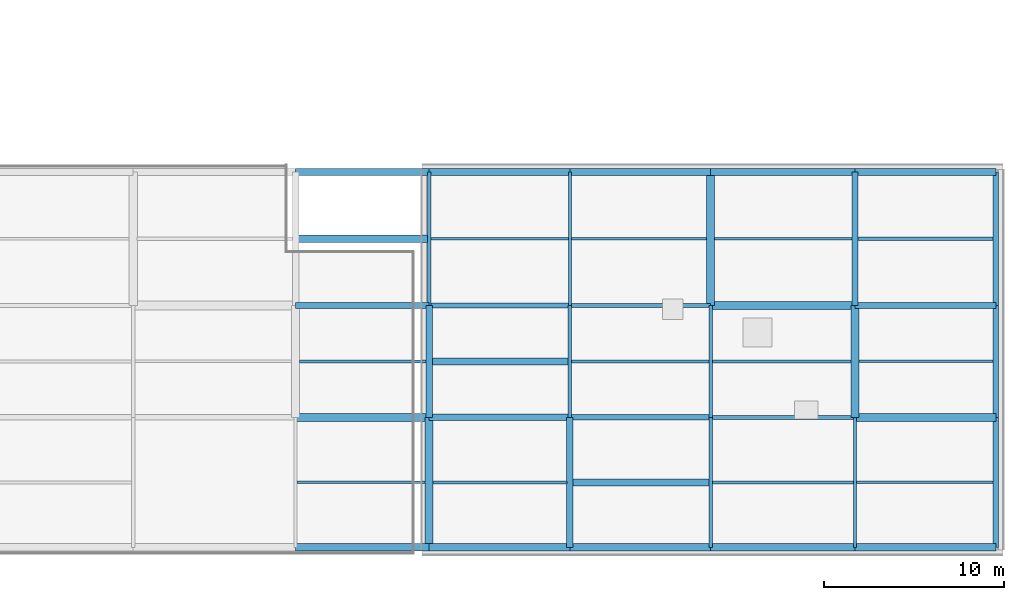
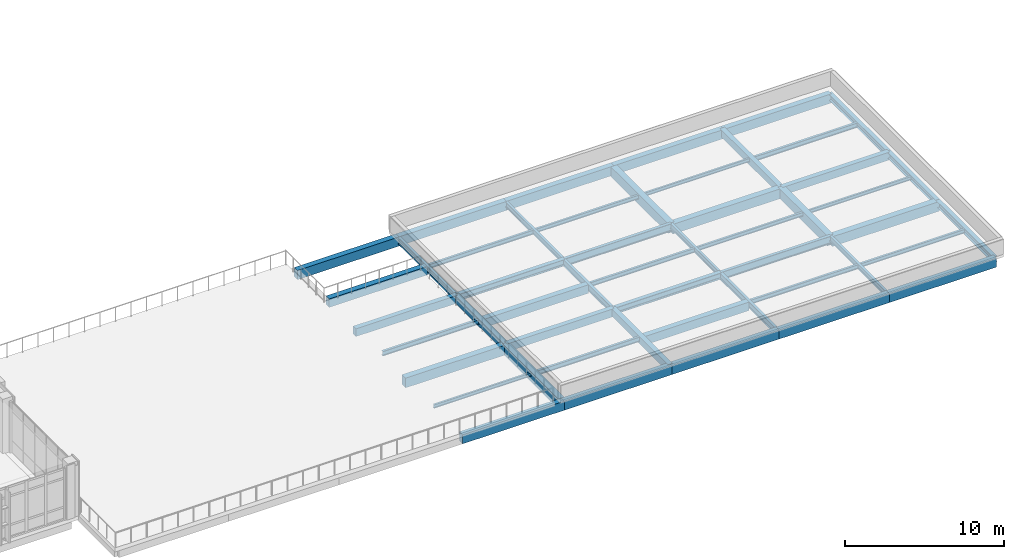
# One storey, part 111 of 165: 50 beams.
"""IFC4 building model written with IfcOpenShell, lengths in metres."""

from ifc_helpers import new_model, si_unit, direction, frame, origin, origin_2d, place, context, subcontext, project, spatial, rectangle, i_section, extrude, material, material_profile, profile_set, type_object, element, save


model = new_model("IFC4")

# Units and contexts
model_context = context("Model", 3, precision=1e-05, world=origin(), true_north=direction((0.0, 1.0)))
body_context = subcontext(model_context, "Body", "Model", "MODEL_VIEW")
ifc_project = project(units=[si_unit("LENGTHUNIT", "METRE"), si_unit("AREAUNIT", "SQUARE_METRE"), si_unit("VOLUMEUNIT", "CUBIC_METRE"), si_unit("PLANEANGLEUNIT", "RADIAN"), si_unit("MASSUNIT", "GRAM", prefix="KILO")], contexts=[model_context])

# Site, building, storey
site_placement = place(None, origin())
site = spatial("IfcSite", under=ifc_project, at=site_placement, CompositionType="ELEMENT")
building_placement = place(site_placement, origin())
building = spatial("IfcBuilding", under=site, at=building_placement, Name="Qalavern Law Courts", CompositionType="ELEMENT")
storey_placement = place(building_placement, frame((0.0, 0.0, 14.39990234375)))
storey = spatial("IfcBuildingStorey", under=building, at=storey_placement, Name="L03", CompositionType="ELEMENT", Elevation=14.39990234375)

# Beams
ifc_material_1 = material(Name="Steel S355", Category="steel")
ifc_material_profile_1 = material_profile(ifc_material_1, i_section(OverallWidth=0.300048828125, OverallDepth=0.489990234375, WebThickness=0.011962890625, FlangeThickness=0.02294921875, FilletRadius=0.027099609375, at=origin_2d()), Name="HEA 500")
ifc_profile_set_1 = profile_set([ifc_material_profile_1], Name="Steel S355")
beam_type_1 = type_object("IfcBeamType", Name="STR-BM-HEA500", PredefinedType="BEAM", material=ifc_profile_set_1)
for number, where, z_axis, x_axis, name in (
    (1, (142.0, 8.60009765625, -0.556884765625), (1.0, 0.0, 0.0), (0.0, 1.0, 0.0), "V6 X-beam 2-6 L03"),
    (2, (134.199951171875, 14.800048828125, -0.556884765625), (1.0, 0.0, 0.0), (0.0, 1.0, 0.0), "V6 X-beam 3-5 L03"),
):
    element("IfcBeam", number, at=place(storey_placement, frame(where, z_axis=z_axis, x_axis=x_axis)), inside=storey, type_object=beam_type_1, Name=name, PredefinedType="BEAM", context=body_context, shape_type="SweptSolid", body=[
        extrude(i_section(OverallWidth=0.300048828125, OverallDepth=0.489990234375, WebThickness=0.011962890625, FlangeThickness=0.02294921875, FilletRadius=0.027099609375, at=origin_2d()), origin(), (0.0, 0.0, 1.0), 7.800048828125),
    ])
ifc_material_profile_2 = material_profile(ifc_material_1, i_section(OverallWidth=0.179931640625, OverallDepth=0.39990234375, WebThickness=0.008544921875, FlangeThickness=0.013427734375, FilletRadius=0.02099609375, at=origin_2d()), Name="IPE 400")
ifc_profile_set_2 = profile_set([ifc_material_profile_2], Name="Steel S355")
beam_type_2 = type_object("IfcBeamType", Name="STR-BM-IPE400", PredefinedType="BEAM", material=ifc_profile_set_2)
beam_1_placement = place(storey_placement, frame((142.0, 14.800048828125, -0.511962890625), z_axis=(0.0, 1.0, 0.0), x_axis=(-1.0, 0.0, 0.0)))
element("IfcBeam", 3, at=beam_1_placement, inside=storey, type_object=beam_type_2, Name="V6 Y-beam 6-3 L03", PredefinedType="BEAM", context=body_context, shape_type="SweptSolid", body=[
    extrude(i_section(OverallWidth=0.179931640625, OverallDepth=0.39990234375, WebThickness=0.008544921875, FlangeThickness=0.013427734375, FilletRadius=0.02099609375, at=origin_2d()), origin(), (0.0, 0.0, 1.0), 7.39990234375),
])
beam_2_placement = place(storey_placement, frame((149.800048828125, 8.60009765625, -0.511962890625), z_axis=(0.0, 1.0, 0.0), x_axis=(-1.0, 0.0, 0.0)))
element("IfcBeam", 4, at=beam_2_placement, inside=storey, type_object=beam_type_2, Name="V6 Y-beam 7-2 L03", PredefinedType="BEAM", context=body_context, shape_type="SweptSolid", body=[
    extrude(i_section(OverallWidth=0.179931640625, OverallDepth=0.39990234375, WebThickness=0.008544921875, FlangeThickness=0.013427734375, FilletRadius=0.02099609375, at=origin_2d()), origin(), (0.0, 0.0, 1.0), 6.199951171875),
])
beam_3_placement = place(storey_placement, frame((157.800048828125, 1.39990234375, -0.511962890625), z_axis=(0.0, 1.0, 0.0), x_axis=(-1.0, 0.0, 0.0)))
element("IfcBeam", 5, at=beam_3_placement, inside=storey, type_object=beam_type_2, Name="V6 Y-beam 8-1 L03", PredefinedType="BEAM", context=body_context, shape_type="SweptSolid", body=[
    extrude(i_section(OverallWidth=0.179931640625, OverallDepth=0.39990234375, WebThickness=0.008544921875, FlangeThickness=0.013427734375, FilletRadius=0.02099609375, at=origin_2d()), origin(), (0.0, 0.0, 1.0), 7.2001953125),
])
ifc_material_profile_3 = material_profile(ifc_material_1, i_section(OverallWidth=0.199951171875, OverallDepth=0.5, WebThickness=0.01025390625, FlangeThickness=0.01611328125, FilletRadius=0.02099609375, at=origin_2d()), Name="IPE 500")
ifc_profile_set_3 = profile_set([ifc_material_profile_3], Name="Steel S355")
beam_type_3 = type_object("IfcBeamType", Name="STR-BM-IPE500", PredefinedType="BEAM", material=ifc_profile_set_3)
beam_4_placement = place(storey_placement, frame((134.199951171875, 14.800048828125, -0.56201171875), z_axis=(0.0, 1.0, 0.0), x_axis=(-1.0, 0.0, 0.0)))
element("IfcBeam", 6, at=beam_4_placement, inside=storey, type_object=beam_type_3, Name="V6 Y-beam 5-3 L03", PredefinedType="BEAM", context=body_context, shape_type="SweptSolid", body=[
    extrude(i_section(OverallWidth=0.199951171875, OverallDepth=0.5, WebThickness=0.01025390625, FlangeThickness=0.01611328125, FilletRadius=0.02099609375, at=origin_2d()), origin(), (0.0, 0.0, 1.0), 7.39990234375),
])
beam_5_placement = place(storey_placement, frame((142.0, 8.60009765625, -0.56201171875), z_axis=(0.0, 1.0, 0.0), x_axis=(-1.0, 0.0, 0.0)))
element("IfcBeam", 7, at=beam_5_placement, inside=storey, type_object=beam_type_3, Name="V6 Y-beam 6-2 L03", PredefinedType="BEAM", context=body_context, shape_type="SweptSolid", body=[
    extrude(i_section(OverallWidth=0.199951171875, OverallDepth=0.5, WebThickness=0.01025390625, FlangeThickness=0.01611328125, FilletRadius=0.02099609375, at=origin_2d()), origin(), (0.0, 0.0, 1.0), 6.199951171875),
])
beam_6_placement = place(storey_placement, frame((149.800048828125, 1.39990234375, -0.56201171875), z_axis=(0.0, 1.0, 0.0), x_axis=(-1.0, 0.0, 0.0)))
element("IfcBeam", 8, at=beam_6_placement, inside=storey, type_object=beam_type_3, Name="V6 Y-beam 7-1 L03", PredefinedType="BEAM", context=body_context, shape_type="SweptSolid", body=[
    extrude(i_section(OverallWidth=0.199951171875, OverallDepth=0.5, WebThickness=0.01025390625, FlangeThickness=0.01611328125, FilletRadius=0.02099609375, at=origin_2d()), origin(), (0.0, 0.0, 1.0), 7.2001953125),
])
ifc_material_profile_4 = material_profile(ifc_material_1, i_section(OverallWidth=0.219970703125, OverallDepth=0.60009765625, WebThickness=0.011962890625, FlangeThickness=0.01904296875, FilletRadius=0.02392578125, at=origin_2d()), Name="IPE 600")
ifc_profile_set_4 = profile_set([ifc_material_profile_4], Name="Steel S355")
beam_type_4 = type_object("IfcBeamType", Name="STR-BM-IPE600", PredefinedType="BEAM", material=ifc_profile_set_4)
beam_7_placement = place(storey_placement, frame((149.800048828125, 8.60009765625, -0.61181640625), z_axis=(1.0, 0.0, 0.0), x_axis=(0.0, 1.0, 0.0)))
element("IfcBeam", 9, at=beam_7_placement, inside=storey, type_object=beam_type_4, Name="V6 X-beam 2-7 L03", PredefinedType="BEAM", context=body_context, shape_type="SweptSolid", body=[
    extrude(i_section(OverallWidth=0.219970703125, OverallDepth=0.60009765625, WebThickness=0.011962890625, FlangeThickness=0.01904296875, FilletRadius=0.02392578125, at=origin_2d()), origin(), (0.0, 0.0, 1.0), 8.0),
])
beam_8_placement = place(storey_placement, frame((142.0, 14.800048828125, -0.61181640625), z_axis=(1.0, 0.0, 0.0), x_axis=(0.0, 1.0, 0.0)))
element("IfcBeam", 10, at=beam_8_placement, inside=storey, type_object=beam_type_4, Name="V6 X-beam 3-6 L03", PredefinedType="BEAM", context=body_context, shape_type="SweptSolid", body=[
    extrude(i_section(OverallWidth=0.219970703125, OverallDepth=0.60009765625, WebThickness=0.011962890625, FlangeThickness=0.01904296875, FilletRadius=0.02392578125, at=origin_2d()), origin(), (0.0, 0.0, 1.0), 7.800048828125),
])
ifc_material_2 = material(Name="Concrete C35/45", Category="concrete")
ifc_material_profile_5 = material_profile(ifc_material_2, rectangle(XDim=0.35009765625, YDim=0.550048828125, at=origin_2d()), Name="RC 350x550")
ifc_profile_set_5 = profile_set([ifc_material_profile_5], Name="Concrete C35/45")
beam_type_5 = type_object("IfcBeamType", Name="STR-BM-RC350x550", PredefinedType="BEAM", material=ifc_profile_set_5)
beam_9_placement = place(storey_placement, frame((134.199951171875, 8.60009765625, -0.5869140625), z_axis=(0.0, 1.0, 0.0), x_axis=(-1.0, 0.0, 0.0)))
element("IfcBeam", 11, at=beam_9_placement, inside=storey, type_object=beam_type_5, Name="V6 Y-beam 5-2 L03", PredefinedType="BEAM", context=body_context, shape_type="SweptSolid", body=[
    extrude(rectangle(XDim=0.35009765625, YDim=0.550048828125, at=origin_2d()), origin(), (0.0, 0.0, 1.0), 6.199951171875),
])
beam_10_placement = place(storey_placement, frame((142.0, 1.39990234375, -0.5869140625), z_axis=(0.0, 1.0, 0.0), x_axis=(-1.0, 0.0, 0.0)))
element("IfcBeam", 12, at=beam_10_placement, inside=storey, type_object=beam_type_5, Name="V6 Y-beam 6-1 L03", PredefinedType="BEAM", context=body_context, shape_type="SweptSolid", body=[
    extrude(rectangle(XDim=0.35009765625, YDim=0.550048828125, at=origin_2d()), origin(), (0.0, 0.0, 1.0), 7.2001953125),
])
beam_11_placement = place(storey_placement, frame((157.800048828125, 14.800048828125, -0.5869140625), z_axis=(0.0, 1.0, 0.0), x_axis=(-1.0, 0.0, 0.0)))
element("IfcBeam", 13, at=beam_11_placement, inside=storey, type_object=beam_type_5, Name="V6 Y-beam 8-3 L03", PredefinedType="BEAM", context=body_context, shape_type="SweptSolid", body=[
    extrude(rectangle(XDim=0.35009765625, YDim=0.550048828125, at=origin_2d()), origin(), (0.0, 0.0, 1.0), 7.39990234375),
])
ifc_material_profile_6 = material_profile(ifc_material_2, rectangle(XDim=0.35009765625, YDim=0.60009765625, at=origin_2d()), Name="RC 350x600")
ifc_profile_set_6 = profile_set([ifc_material_profile_6], Name="Concrete C35/45")
beam_type_6 = type_object("IfcBeamType", Name="STR-BM-RC350x600", PredefinedType="BEAM", material=ifc_profile_set_6)
beam_12_placement = place(storey_placement, frame((134.199951171875, 8.60009765625, -0.61181640625), z_axis=(1.0, 0.0, 0.0), x_axis=(0.0, 1.0, 0.0)))
element("IfcBeam", 14, at=beam_12_placement, inside=storey, type_object=beam_type_6, Name="V6 X-beam 2-5 L03", PredefinedType="BEAM", context=body_context, shape_type="SweptSolid", body=[
    extrude(rectangle(XDim=0.35009765625, YDim=0.60009765625, at=origin_2d()), origin(), (0.0, 0.0, 1.0), 7.800048828125),
])
beam_13_placement = place(storey_placement, frame((126.800048828125, 14.800048828125, -0.61181640625), z_axis=(1.0, 0.0, 0.0), x_axis=(0.0, 1.0, 0.0)))
element("IfcBeam", 15, at=beam_13_placement, inside=storey, type_object=beam_type_6, Name="V6 X-beam 3-4 L03", PredefinedType="BEAM", context=body_context, shape_type="SweptSolid", body=[
    extrude(rectangle(XDim=0.35009765625, YDim=0.60009765625, at=origin_2d()), origin(), (0.0, 0.0, 1.0), 7.39990234375),
])
beam_14_placement = place(storey_placement, frame((157.800048828125, 14.800048828125, -0.61181640625), z_axis=(1.0, 0.0, 0.0), x_axis=(0.0, 1.0, 0.0)))
element("IfcBeam", 16, at=beam_14_placement, inside=storey, type_object=beam_type_6, Name="V6 X-beam 3-8 L03", PredefinedType="BEAM", context=body_context, shape_type="SweptSolid", body=[
    extrude(rectangle(XDim=0.35009765625, YDim=0.60009765625, at=origin_2d()), origin(), (0.0, 0.0, 1.0), 7.800048828125),
])
ifc_material_3 = material(Name="Concrete C40/50", Category="concrete")
ifc_material_profile_7 = material_profile(ifc_material_3, rectangle(XDim=0.449951171875, YDim=0.75, at=origin_2d()), Name="RC 450x750")
ifc_profile_set_7 = profile_set([ifc_material_profile_7], Name="Concrete C40/50")
beam_type_7 = type_object("IfcBeamType", Name="STR-BM-RC450x750", PredefinedType="BEAM", material=ifc_profile_set_7)
beam_15_placement = place(storey_placement, frame((126.800048828125, 8.60009765625, -0.68701171875), z_axis=(1.0, 0.0, 0.0), x_axis=(0.0, 1.0, 0.0)))
element("IfcBeam", 17, at=beam_15_placement, inside=storey, type_object=beam_type_7, Name="V6 X-beam 2-4 L03", PredefinedType="BEAM", context=body_context, shape_type="SweptSolid", body=[
    extrude(rectangle(XDim=0.449951171875, YDim=0.75, at=origin_2d()), origin(), (0.0, 0.0, 1.0), 7.39990234375),
])
beam_16_placement = place(storey_placement, frame((157.800048828125, 8.60009765625, -0.68701171875), z_axis=(1.0, 0.0, 0.0), x_axis=(0.0, 1.0, 0.0)))
element("IfcBeam", 18, at=beam_16_placement, inside=storey, type_object=beam_type_7, Name="V6 X-beam 2-8 L03", PredefinedType="BEAM", context=body_context, shape_type="SweptSolid", body=[
    extrude(rectangle(XDim=0.449951171875, YDim=0.75, at=origin_2d()), origin(), (0.0, 0.0, 1.0), 7.800048828125),
])
beam_17_placement = place(storey_placement, frame((149.800048828125, 14.800048828125, -0.68701171875), z_axis=(1.0, 0.0, 0.0), x_axis=(0.0, 1.0, 0.0)))
element("IfcBeam", 19, at=beam_17_placement, inside=storey, type_object=beam_type_7, Name="V6 X-beam 3-7 L03", PredefinedType="BEAM", context=body_context, shape_type="SweptSolid", body=[
    extrude(rectangle(XDim=0.449951171875, YDim=0.75, at=origin_2d()), origin(), (0.0, 0.0, 1.0), 8.0),
])
beam_18_placement = place(storey_placement, frame((134.199951171875, 1.39990234375, -0.68701171875), z_axis=(0.0, 1.0, 0.0), x_axis=(-1.0, 0.0, 0.0)))
element("IfcBeam", 20, at=beam_18_placement, inside=storey, type_object=beam_type_7, Name="V6 Y-beam 5-1 L03", PredefinedType="BEAM", context=body_context, shape_type="SweptSolid", body=[
    extrude(rectangle(XDim=0.449951171875, YDim=0.75, at=origin_2d()), origin(), (0.0, 0.0, 1.0), 7.2001953125),
])
beam_19_placement = place(storey_placement, frame((149.800048828125, 14.800048828125, -0.68701171875), z_axis=(0.0, 1.0, 0.0), x_axis=(-1.0, 0.0, 0.0)))
element("IfcBeam", 21, at=beam_19_placement, inside=storey, type_object=beam_type_7, Name="V6 Y-beam 7-3 L03", PredefinedType="BEAM", context=body_context, shape_type="SweptSolid", body=[
    extrude(rectangle(XDim=0.449951171875, YDim=0.75, at=origin_2d()), origin(), (0.0, 0.0, 1.0), 7.39990234375),
])
beam_20_placement = place(storey_placement, frame((157.800048828125, 8.60009765625, -0.68701171875), z_axis=(0.0, 1.0, 0.0), x_axis=(-1.0, 0.0, 0.0)))
element("IfcBeam", 22, at=beam_20_placement, inside=storey, type_object=beam_type_7, Name="V6 Y-beam 8-2 L03", PredefinedType="BEAM", context=body_context, shape_type="SweptSolid", body=[
    extrude(rectangle(XDim=0.449951171875, YDim=0.75, at=origin_2d()), origin(), (0.0, 0.0, 1.0), 6.199951171875),
])
ifc_material_profile_8 = material_profile(ifc_material_1, i_section(OverallWidth=0.135009765625, OverallDepth=0.27001953125, WebThickness=0.006591796875, FlangeThickness=0.01025390625, FilletRadius=0.014892578125, at=origin_2d()), Name="IPE 270")
ifc_profile_set_8 = profile_set([ifc_material_profile_8], Name="Steel S355")
beam_type_8 = type_object("IfcBeamType", Name="STR-JST-IPE270", PredefinedType="JOIST", material=ifc_profile_set_8)
beam_21_placement = place(storey_placement, frame((126.887939453125, 5.0, -0.447021484375), z_axis=(1.0, 0.0, 0.0), x_axis=(0.0, 1.0, 0.0)))
element("IfcBeam", 23, at=beam_21_placement, inside=storey, type_object=beam_type_8, Name="V6 secondary joist 4.1.1 L03", PredefinedType="JOIST", context=body_context, shape_type="SweptSolid", body=[
    extrude(i_section(OverallWidth=0.135009765625, OverallDepth=0.27001953125, WebThickness=0.006591796875, FlangeThickness=0.01025390625, FilletRadius=0.014892578125, at=origin_2d()), origin(), (0.0, 0.0, 1.0), 7.089111328125),
])
beam_22_placement = place(storey_placement, frame((150.02294921875, 18.5, -0.447021484375), z_axis=(1.0, 0.0, 0.0), x_axis=(0.0, 1.0, 0.0)))
element("IfcBeam", 24, at=beam_22_placement, inside=storey, type_object=beam_type_8, Name="V6 secondary joist 7.3.1 L03", PredefinedType="JOIST", context=body_context, shape_type="SweptSolid", body=[
    extrude(i_section(OverallWidth=0.135009765625, OverallDepth=0.27001953125, WebThickness=0.006591796875, FlangeThickness=0.01025390625, FilletRadius=0.014892578125, at=origin_2d()), origin(), (0.0, 0.0, 1.0), 7.60400390625),
])
beam_23_placement = place(storey_placement, frame((158.02294921875, 11.699951171875, -0.447021484375), z_axis=(1.0, 0.0, 0.0), x_axis=(0.0, 1.0, 0.0)))
element("IfcBeam", 25, at=beam_23_placement, inside=storey, type_object=beam_type_8, Name="V6 secondary joist 8.2.1 L03", PredefinedType="JOIST", context=body_context, shape_type="SweptSolid", body=[
    extrude(i_section(OverallWidth=0.135009765625, OverallDepth=0.27001953125, WebThickness=0.006591796875, FlangeThickness=0.01025390625, FilletRadius=0.014892578125, at=origin_2d()), origin(), (0.0, 0.0, 1.0), 7.428955078125),
])
ifc_material_profile_9 = material_profile(ifc_material_1, i_section(OverallWidth=0.14990234375, OverallDepth=0.300048828125, WebThickness=0.007080078125, FlangeThickness=0.0107421875, FilletRadius=0.014892578125, at=origin_2d()), Name="IPE 300")
ifc_profile_set_9 = profile_set([ifc_material_profile_9], Name="Steel S355")
beam_type_9 = type_object("IfcBeamType", Name="STR-JST-IPE300", PredefinedType="JOIST", material=ifc_profile_set_9)
beam_24_placement = place(storey_placement, frame((142.087890625, 18.5, -0.4619140625), z_axis=(1.0, 0.0, 0.0), x_axis=(0.0, 1.0, 0.0)))
element("IfcBeam", 26, at=beam_24_placement, inside=storey, type_object=beam_type_9, Name="V6 secondary joist 6.3.1 L03", PredefinedType="JOIST", context=body_context, shape_type="SweptSolid", body=[
    extrude(i_section(OverallWidth=0.14990234375, OverallDepth=0.300048828125, WebThickness=0.007080078125, FlangeThickness=0.0107421875, FilletRadius=0.014892578125, at=origin_2d()), origin(), (0.0, 0.0, 1.0), 7.489013671875),
])
beam_25_placement = place(storey_placement, frame((149.887939453125, 11.699951171875, -0.4619140625), z_axis=(1.0, 0.0, 0.0), x_axis=(0.0, 1.0, 0.0)))
element("IfcBeam", 27, at=beam_25_placement, inside=storey, type_object=beam_type_9, Name="V6 secondary joist 7.2.1 L03", PredefinedType="JOIST", context=body_context, shape_type="SweptSolid", body=[
    extrude(i_section(OverallWidth=0.14990234375, OverallDepth=0.300048828125, WebThickness=0.007080078125, FlangeThickness=0.0107421875, FilletRadius=0.014892578125, at=origin_2d()), origin(), (0.0, 0.0, 1.0), 7.68896484375),
])
beam_26_placement = place(storey_placement, frame((157.887939453125, 5.0, -0.4619140625), z_axis=(1.0, 0.0, 0.0), x_axis=(0.0, 1.0, 0.0)))
element("IfcBeam", 28, at=beam_26_placement, inside=storey, type_object=beam_type_9, Name="V6 secondary joist 8.1.1 L03", PredefinedType="JOIST", context=body_context, shape_type="SweptSolid", body=[
    extrude(i_section(OverallWidth=0.14990234375, OverallDepth=0.300048828125, WebThickness=0.007080078125, FlangeThickness=0.0107421875, FilletRadius=0.014892578125, at=origin_2d()), origin(), (0.0, 0.0, 1.0), 7.56396484375),
])
ifc_material_profile_10 = material_profile(ifc_material_1, i_section(OverallWidth=0.159912109375, OverallDepth=0.330078125, WebThickness=0.007568359375, FlangeThickness=0.011474609375, FilletRadius=0.01806640625, at=origin_2d()), Name="IPE 330")
ifc_profile_set_10 = profile_set([ifc_material_profile_10], Name="Steel S355")
beam_type_10 = type_object("IfcBeamType", Name="STR-JST-IPE330", PredefinedType="JOIST", material=ifc_profile_set_10)
for number, where, z_axis, x_axis, name in (
    (29, (134.298095703125, 18.5, -0.476806640625), (1.0, 0.0, 0.0), (0.0, 1.0, 0.0), "V6 secondary joist 5.3.1 L03"),
    (30, (142.097900390625, 11.699951171875, -0.476806640625), (1.0, 0.0, 0.0), (0.0, 1.0, 0.0), "V6 secondary joist 6.2.1 L03"),
):
    element("IfcBeam", number, at=place(storey_placement, frame(where, z_axis=z_axis, x_axis=x_axis)), inside=storey, type_object=beam_type_10, Name=name, PredefinedType="JOIST", context=body_context, shape_type="SweptSolid", body=[
        extrude(i_section(OverallWidth=0.159912109375, OverallDepth=0.330078125, WebThickness=0.007568359375, FlangeThickness=0.011474609375, FilletRadius=0.01806640625, at=origin_2d()), origin(), (0.0, 0.0, 1.0), 7.614013671875),
    ])
beam_27_placement = place(storey_placement, frame((149.89794921875, 5.0, -0.476806640625), z_axis=(1.0, 0.0, 0.0), x_axis=(0.0, 1.0, 0.0)))
element("IfcBeam", 31, at=beam_27_placement, inside=storey, type_object=beam_type_10, Name="V6 secondary joist 7.1.1 L03", PredefinedType="JOIST", context=body_context, shape_type="SweptSolid", body=[
    extrude(i_section(OverallWidth=0.159912109375, OverallDepth=0.330078125, WebThickness=0.007568359375, FlangeThickness=0.011474609375, FilletRadius=0.01806640625, at=origin_2d()), origin(), (0.0, 0.0, 1.0), 7.81396484375),
])
ifc_material_profile_11 = material_profile(ifc_material_1, i_section(OverallWidth=0.169921875, OverallDepth=0.360107421875, WebThickness=0.008056640625, FlangeThickness=0.0126953125, FilletRadius=0.01806640625, at=origin_2d()), Name="IPE 360")
ifc_profile_set_11 = profile_set([ifc_material_profile_11], Name="Steel S355")
beam_type_11 = type_object("IfcBeamType", Name="STR-JST-IPE360", PredefinedType="JOIST", material=ifc_profile_set_11)
beam_28_placement = place(storey_placement, frame((127.02294921875, 11.699951171875, -0.491943359375), z_axis=(1.0, 0.0, 0.0), x_axis=(0.0, 1.0, 0.0)))
element("IfcBeam", 32, at=beam_28_placement, inside=storey, type_object=beam_type_11, Name="V6 secondary joist 4.2.1 L03", PredefinedType="JOIST", context=body_context, shape_type="SweptSolid", body=[
    extrude(i_section(OverallWidth=0.169921875, OverallDepth=0.360107421875, WebThickness=0.008056640625, FlangeThickness=0.0126953125, FilletRadius=0.01806640625, at=origin_2d()), origin(), (0.0, 0.0, 1.0), 7.004150390625),
])
beam_29_placement = place(storey_placement, frame((134.423095703125, 5.0, -0.491943359375), z_axis=(1.0, 0.0, 0.0), x_axis=(0.0, 1.0, 0.0)))
element("IfcBeam", 33, at=beam_29_placement, inside=storey, type_object=beam_type_11, Name="V6 secondary joist 5.1.1 L03", PredefinedType="JOIST", context=body_context, shape_type="SweptSolid", body=[
    extrude(i_section(OverallWidth=0.169921875, OverallDepth=0.360107421875, WebThickness=0.008056640625, FlangeThickness=0.0126953125, FilletRadius=0.01806640625, at=origin_2d()), origin(), (0.0, 0.0, 1.0), 7.40380859375),
])
beam_30_placement = place(storey_placement, frame((157.972900390625, 18.5, -0.491943359375), z_axis=(1.0, 0.0, 0.0), x_axis=(0.0, 1.0, 0.0)))
element("IfcBeam", 34, at=beam_30_placement, inside=storey, type_object=beam_type_11, Name="V6 secondary joist 8.3.1 L03", PredefinedType="JOIST", context=body_context, shape_type="SweptSolid", body=[
    extrude(i_section(OverallWidth=0.169921875, OverallDepth=0.360107421875, WebThickness=0.008056640625, FlangeThickness=0.0126953125, FilletRadius=0.01806640625, at=origin_2d()), origin(), (0.0, 0.0, 1.0), 7.47900390625),
])
ifc_material_profile_12 = material_profile(ifc_material_2, rectangle(XDim=0.39990234375, YDim=0.64990234375, at=origin_2d()), Name="RC 400x650")
ifc_profile_set_12 = profile_set([ifc_material_profile_12], Name="Concrete C35/45")
beam_type_12 = type_object("IfcBeamType", Name="STR-JST-RC400x650", PredefinedType="JOIST", material=ifc_profile_set_12)
beam_31_placement = place(storey_placement, frame((126.972900390625, 18.5, -0.636962890625), z_axis=(1.0, 0.0, 0.0), x_axis=(0.0, 1.0, 0.0)))
element("IfcBeam", 35, at=beam_31_placement, inside=storey, type_object=beam_type_12, Name="V6 secondary joist 4.3.1 L03", PredefinedType="JOIST", context=body_context, shape_type="SweptSolid", body=[
    extrude(rectangle(XDim=0.39990234375, YDim=0.64990234375, at=origin_2d()), origin(), (0.0, 0.0, 1.0), 7.129150390625),
])
beam_32_placement = place(storey_placement, frame((134.373046875, 11.699951171875, -0.636962890625), z_axis=(1.0, 0.0, 0.0), x_axis=(0.0, 1.0, 0.0)))
element("IfcBeam", 36, at=beam_32_placement, inside=storey, type_object=beam_type_12, Name="V6 secondary joist 5.2.1 L03", PredefinedType="JOIST", context=body_context, shape_type="SweptSolid", body=[
    extrude(rectangle(XDim=0.39990234375, YDim=0.64990234375, at=origin_2d()), origin(), (0.0, 0.0, 1.0), 7.529052734375),
])
beam_33_placement = place(storey_placement, frame((142.173095703125, 5.0, -0.636962890625), z_axis=(1.0, 0.0, 0.0), x_axis=(0.0, 1.0, 0.0)))
element("IfcBeam", 37, at=beam_33_placement, inside=storey, type_object=beam_type_12, Name="V6 secondary joist 6.1.1 L03", PredefinedType="JOIST", context=body_context, shape_type="SweptSolid", body=[
    extrude(rectangle(XDim=0.39990234375, YDim=0.64990234375, at=origin_2d()), origin(), (0.0, 0.0, 1.0), 7.52880859375),
])
ifc_material_profile_13 = material_profile(ifc_material_1, i_section(OverallWidth=0.300048828125, OverallDepth=0.449951171875, WebThickness=0.013916015625, FlangeThickness=0.02587890625, FilletRadius=0.027099609375, at=origin_2d()), Name="HEB 450")
ifc_profile_set_13 = profile_set([ifc_material_profile_13], Name="Steel S355")
beam_type_13 = type_object("IfcBeamType", Name="STR-SP-HEB450", PredefinedType="SPANDREL", material=ifc_profile_set_13)
beam_34_placement = place(storey_placement, frame((165.60009765625, 1.39990234375, -0.536865234375), z_axis=(0.0, 1.0, 0.0), x_axis=(-1.0, 0.0, 0.0)))
element("IfcBeam", 38, at=beam_34_placement, inside=storey, type_object=beam_type_13, Name="V6 Y-beam 9-1 L03", PredefinedType="SPANDREL", context=body_context, shape_type="SweptSolid", body=[
    extrude(i_section(OverallWidth=0.300048828125, OverallDepth=0.449951171875, WebThickness=0.013916015625, FlangeThickness=0.02587890625, FilletRadius=0.027099609375, at=origin_2d()), origin(), (0.0, 0.0, 1.0), 7.2001953125),
])
beam_35_placement = place(storey_placement, frame((165.60009765625, 8.60009765625, -0.536865234375), z_axis=(0.0, 1.0, 0.0), x_axis=(-1.0, 0.0, 0.0)))
element("IfcBeam", 39, at=beam_35_placement, inside=storey, type_object=beam_type_13, Name="V6 Y-beam 9-2 L03", PredefinedType="SPANDREL", context=body_context, shape_type="SweptSolid", body=[
    extrude(i_section(OverallWidth=0.300048828125, OverallDepth=0.449951171875, WebThickness=0.013916015625, FlangeThickness=0.02587890625, FilletRadius=0.027099609375, at=origin_2d()), origin(), (0.0, 0.0, 1.0), 6.199951171875),
])
beam_36_placement = place(storey_placement, frame((165.60009765625, 14.800048828125, -0.536865234375), z_axis=(0.0, 1.0, 0.0), x_axis=(-1.0, 0.0, 0.0)))
element("IfcBeam", 40, at=beam_36_placement, inside=storey, type_object=beam_type_13, Name="V6 Y-beam 9-3 L03", PredefinedType="SPANDREL", context=body_context, shape_type="SweptSolid", body=[
    extrude(i_section(OverallWidth=0.300048828125, OverallDepth=0.449951171875, WebThickness=0.013916015625, FlangeThickness=0.02587890625, FilletRadius=0.027099609375, at=origin_2d()), origin(), (0.0, 0.0, 1.0), 7.39990234375),
])
ifc_material_profile_14 = material_profile(ifc_material_3, rectangle(XDim=0.39990234375, YDim=0.699951171875, at=origin_2d()), Name="RC 400x700")
ifc_profile_set_14 = profile_set([ifc_material_profile_14], Name="Concrete C40/50")
beam_type_14 = type_object("IfcBeamType", Name="STR-SP-RC400x700", PredefinedType="SPANDREL", material=ifc_profile_set_14)
beam_37_placement = place(storey_placement, frame((126.800048828125, 1.39990234375, -0.661865234375), z_axis=(1.0, 0.0, 0.0), x_axis=(0.0, 1.0, 0.0)))
element("IfcBeam", 41, at=beam_37_placement, inside=storey, type_object=beam_type_14, Name="V6 X-beam 1-4 L03", PredefinedType="SPANDREL", context=body_context, shape_type="SweptSolid", body=[
    extrude(rectangle(XDim=0.39990234375, YDim=0.699951171875, at=origin_2d()), origin(), (0.0, 0.0, 1.0), 7.39990234375),
])
for number, where, z_axis, x_axis, name in (
    (42, (134.199951171875, 1.39990234375, -0.661865234375), (1.0, 0.0, 0.0), (0.0, 1.0, 0.0), "V6 X-beam 1-5 L03"),
    (43, (142.0, 1.39990234375, -0.661865234375), (1.0, 0.0, 0.0), (0.0, 1.0, 0.0), "V6 X-beam 1-6 L03"),
):
    element("IfcBeam", number, at=place(storey_placement, frame(where, z_axis=z_axis, x_axis=x_axis)), inside=storey, type_object=beam_type_14, Name=name, PredefinedType="SPANDREL", context=body_context, shape_type="SweptSolid", body=[
        extrude(rectangle(XDim=0.39990234375, YDim=0.699951171875, at=origin_2d()), origin(), (0.0, 0.0, 1.0), 7.800048828125),
    ])
beam_38_placement = place(storey_placement, frame((149.800048828125, 1.39990234375, -0.661865234375), z_axis=(1.0, 0.0, 0.0), x_axis=(0.0, 1.0, 0.0)))
element("IfcBeam", 44, at=beam_38_placement, inside=storey, type_object=beam_type_14, Name="V6 X-beam 1-7 L03", PredefinedType="SPANDREL", context=body_context, shape_type="SweptSolid", body=[
    extrude(rectangle(XDim=0.39990234375, YDim=0.699951171875, at=origin_2d()), origin(), (0.0, 0.0, 1.0), 8.0),
])
beam_39_placement = place(storey_placement, frame((157.800048828125, 1.39990234375, -0.661865234375), z_axis=(1.0, 0.0, 0.0), x_axis=(0.0, 1.0, 0.0)))
element("IfcBeam", 45, at=beam_39_placement, inside=storey, type_object=beam_type_14, Name="V6 X-beam 1-8 L03", PredefinedType="SPANDREL", context=body_context, shape_type="SweptSolid", body=[
    extrude(rectangle(XDim=0.39990234375, YDim=0.699951171875, at=origin_2d()), origin(), (0.0, 0.0, 1.0), 7.800048828125),
])
beam_40_placement = place(storey_placement, frame((126.800048828125, 22.199951171875, -0.661865234375), z_axis=(1.0, 0.0, 0.0), x_axis=(0.0, 1.0, 0.0)))
element("IfcBeam", 46, at=beam_40_placement, inside=storey, type_object=beam_type_14, Name="V6 X-beam 4-4 L03", PredefinedType="SPANDREL", context=body_context, shape_type="SweptSolid", body=[
    extrude(rectangle(XDim=0.39990234375, YDim=0.699951171875, at=origin_2d()), origin(), (0.0, 0.0, 1.0), 7.39990234375),
])
for number, where, z_axis, x_axis, name in (
    (47, (134.199951171875, 22.199951171875, -0.661865234375), (1.0, 0.0, 0.0), (0.0, 1.0, 0.0), "V6 X-beam 4-5 L03"),
    (48, (142.0, 22.199951171875, -0.661865234375), (1.0, 0.0, 0.0), (0.0, 1.0, 0.0), "V6 X-beam 4-6 L03"),
):
    element("IfcBeam", number, at=place(storey_placement, frame(where, z_axis=z_axis, x_axis=x_axis)), inside=storey, type_object=beam_type_14, Name=name, PredefinedType="SPANDREL", context=body_context, shape_type="SweptSolid", body=[
        extrude(rectangle(XDim=0.39990234375, YDim=0.699951171875, at=origin_2d()), origin(), (0.0, 0.0, 1.0), 7.800048828125),
    ])
beam_41_placement = place(storey_placement, frame((149.800048828125, 22.199951171875, -0.661865234375), z_axis=(1.0, 0.0, 0.0), x_axis=(0.0, 1.0, 0.0)))
element("IfcBeam", 49, at=beam_41_placement, inside=storey, type_object=beam_type_14, Name="V6 X-beam 4-7 L03", PredefinedType="SPANDREL", context=body_context, shape_type="SweptSolid", body=[
    extrude(rectangle(XDim=0.39990234375, YDim=0.699951171875, at=origin_2d()), origin(), (0.0, 0.0, 1.0), 8.0),
])
beam_42_placement = place(storey_placement, frame((157.800048828125, 22.199951171875, -0.661865234375), z_axis=(1.0, 0.0, 0.0), x_axis=(0.0, 1.0, 0.0)))
element("IfcBeam", 50, at=beam_42_placement, inside=storey, type_object=beam_type_14, Name="V6 X-beam 4-8 L03", PredefinedType="SPANDREL", context=body_context, shape_type="SweptSolid", body=[
    extrude(rectangle(XDim=0.39990234375, YDim=0.699951171875, at=origin_2d()), origin(), (0.0, 0.0, 1.0), 7.800048828125),
])

save(model, "model.ifc")
